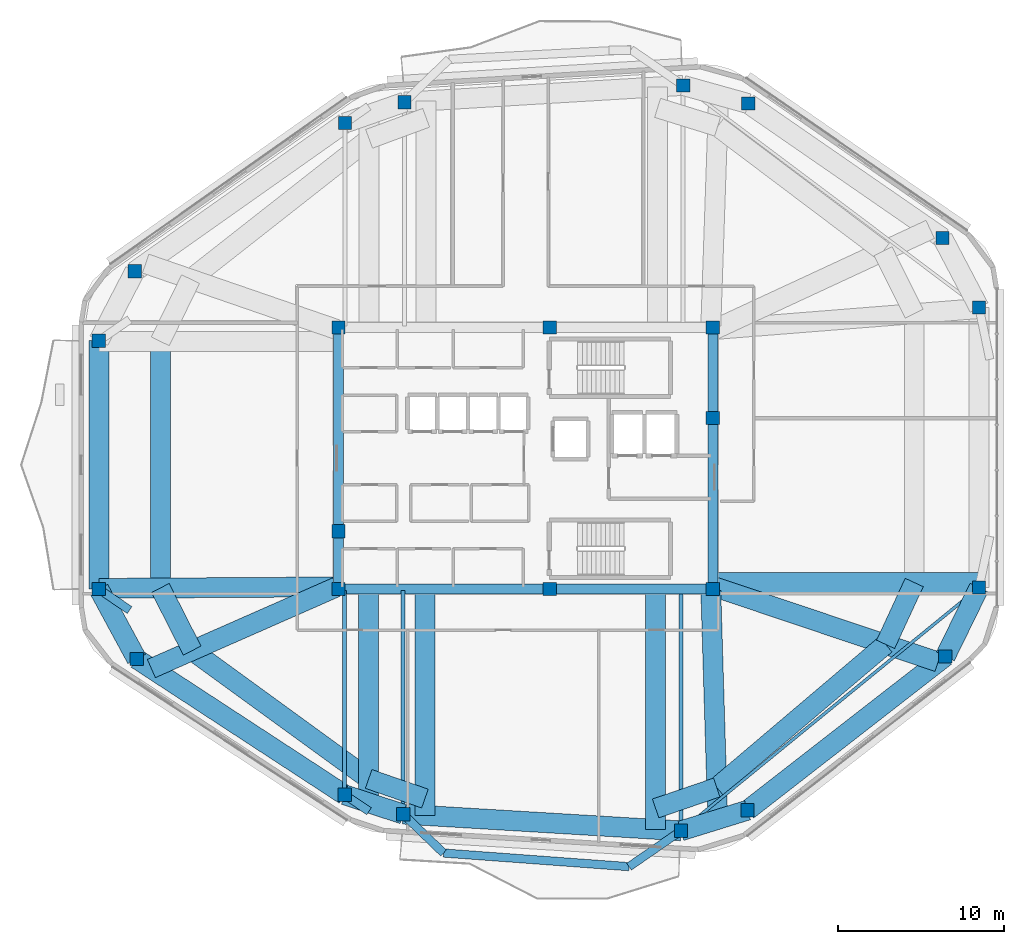
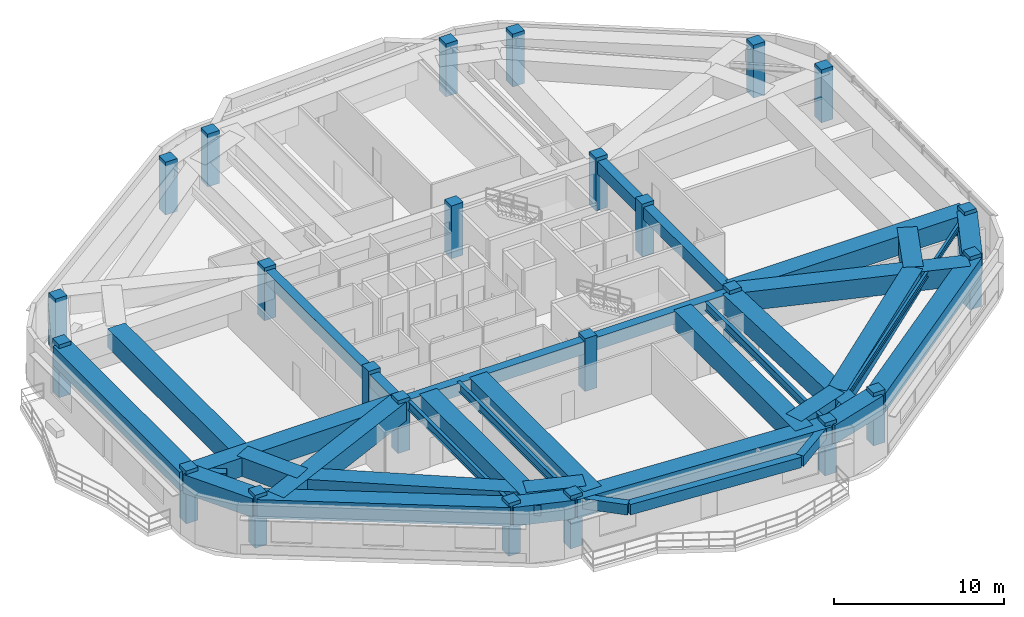
# One storey, part 1 of 15: 38 beams, 24 columns.
"""IFC4 building model written with IfcOpenShell, lengths in metres."""

from ifc_helpers import new_model, si_unit, direction, frame, origin, origin_2d, place, context, subcontext, project, spatial, rectangle, i_section, extrude, material, material_profile, profile_set, type_object, element, save


model = new_model("IFC4")

# Units and contexts
model_context = context("Model", 3, precision=1e-05, world=origin(), true_north=direction((0.0, 1.0)))
body_context = subcontext(model_context, "Body", "Model", "MODEL_VIEW")
ifc_project = project(units=[si_unit("LENGTHUNIT", "METRE"), si_unit("AREAUNIT", "SQUARE_METRE"), si_unit("VOLUMEUNIT", "CUBIC_METRE"), si_unit("PLANEANGLEUNIT", "RADIAN"), si_unit("MASSUNIT", "GRAM", prefix="KILO")], contexts=[model_context])

# Site, building, storey
site_placement = place(None, origin())
site = spatial("IfcSite", under=ifc_project, at=site_placement, CompositionType="ELEMENT")
building_placement = place(site_placement, origin())
building = spatial("IfcBuilding", under=site, at=building_placement, Name="Zulverin Broadcast Headquarters", CompositionType="ELEMENT")
storey_placement = place(building_placement, frame((0.0, 0.0, 270.60009765625)))
storey = spatial("IfcBuildingStorey", under=building, at=storey_placement, Name="L69", CompositionType="ELEMENT", Elevation=270.60009765625)

# Columns
ifc_material_1 = material(Name="Concrete C50/60", Category="concrete")
ifc_material_profile_1 = material_profile(ifc_material_1, rectangle(XDim=0.800048828125, YDim=0.800048828125, at=origin_2d()), Name="Concrete C50/60", Category="concrete")
ifc_profile_set_1 = profile_set([ifc_material_profile_1], Name="Concrete C50/60")
column_type_1 = type_object("IfcColumnType", Name="COL-RC-800", PredefinedType="COLUMN", material=ifc_profile_set_1)
for number, where, z_axis, x_axis, name in (
    (1, (29.6220703125, 3.763671875, 0.0), (0.0, 0.0, 1.0), (1.0, 0.0, 0.0), "L69 Perimeter Column T01"),
    (2, (46.3515625, 2.759521484375, 0.0), (0.0, 0.0, 1.0), (1.0, 0.0, 0.0), "L69 Perimeter Column T02"),
    (3, (50.361083984375, 4.001708984375, 0.0), (0.0, 0.0, 1.0), (1.0, 0.0, 0.0), "L69 Perimeter Column T03"),
    (4, (62.272216796875, 13.262451171875, 0.0), (0.0, 0.0, 1.0), (1.0, 0.0, 0.0), "L69 Perimeter Column T04"),
    (5, (64.300048828125, 17.40771484375, 0.0), (0.0, 0.0, 1.0), (1.0, 0.0, 0.0), "L69 Perimeter Column T05"),
    (6, (64.300048828125, 34.275634765625, 0.0), (0.0, 0.0, 1.0), (1.0, 0.0, 0.0), "L69 Perimeter Column T06"),
    (7, (62.102783203125, 38.465087890625, 0.0), (0.0, 0.0, 1.0), (1.0, 0.0, 0.0), "L69 Perimeter Column T07"),
    (8, (50.39794921875, 46.554443359375, 0.0), (0.0, 0.0, 1.0), (1.0, 0.0, 0.0), "L69 Perimeter Column T08"),
    (9, (46.4814453125, 47.6484375, 0.0), (0.0, 0.0, 1.0), (1.0, 0.0, 0.0), "L69 Perimeter Column T09"),
    (10, (29.70068359375, 46.64111328125, 0.0), (0.0, 0.0, 1.0), (1.0, 0.0, 0.0), "L69 Perimeter Column T10"),
    (11, (26.11474609375, 45.383544921875, 0.0), (0.0, 0.0, 1.0), (1.0, 0.0, 0.0), "L69 Perimeter Column T11"),
    (12, (13.46728515625, 36.457763671875, 0.0), (0.0, 0.0, 1.0), (1.0, 0.0, 0.0), "L69 Perimeter Column T12"),
    (13, (11.300048828125, 32.275390625, 0.0), (0.0, 0.0, 1.0), (1.0, 0.0, 0.0), "L69 Perimeter Column T13"),
    (14, (11.300048828125, 17.318603515625, 0.0), (0.0, 0.0, 1.0), (1.0, 0.0, 0.0), "L69 Perimeter Column T14"),
    (15, (13.576416015625, 13.11181640625, 0.0), (0.0, 0.0, 1.0), (1.0, 0.0, 0.0), "L69 Perimeter Column T15"),
    (16, (26.098876953125, 4.9287109375, 0.0), (0.0, 0.0, 1.0), (1.0, 0.0, 0.0), "L69 Perimeter Column T16"),
):
    element("IfcColumn", number, at=place(storey_placement, frame(where, z_axis=z_axis, x_axis=x_axis)), inside=storey, type_object=column_type_1, Name=name, PredefinedType="COLUMN", context=body_context, shape_type="SweptSolid", body=[
        extrude(rectangle(XDim=0.800048828125, YDim=0.800048828125, at=origin_2d()), origin(), (0.0, 0.0, 1.0), 3.7998046875),
    ])
ifc_material_profile_2 = material_profile(ifc_material_1, rectangle(XDim=0.800048828125, YDim=0.800048828125, at=origin_2d()), Name="Concrete C50/60", Category="concrete")
ifc_profile_set_2 = profile_set([ifc_material_profile_2], Name="Concrete C50/60")
column_type_2 = type_object("IfcColumnType", Name="PIL-RC-800", PredefinedType="PILASTER", material=ifc_profile_set_2)
for number, where, z_axis, x_axis, name in (
    (17, (25.72509765625, 17.324951171875, 0.0), (0.0, 0.0, 1.0), (1.0, 0.0, 0.0), "L69 Core Pilaster K01"),
    (18, (38.449951171875, 17.324951171875, 0.0), (0.0, 0.0, 1.0), (1.0, 0.0, 0.0), "L69 Core Pilaster K02"),
    (19, (48.27490234375, 17.324951171875, 0.0), (0.0, 0.0, 1.0), (1.0, 0.0, 0.0), "L69 Core Pilaster K03"),
    (20, (48.27490234375, 27.6201171875, 0.0), (0.0, 0.0, 1.0), (1.0, 0.0, 0.0), "L69 Core Pilaster K04"),
    (21, (48.27490234375, 33.074951171875, 0.0), (0.0, 0.0, 1.0), (1.0, 0.0, 0.0), "L69 Core Pilaster K05"),
    (22, (38.449951171875, 33.074951171875, 0.0), (0.0, 0.0, 1.0), (1.0, 0.0, 0.0), "L69 Core Pilaster K06"),
    (23, (25.72509765625, 33.074951171875, 0.0), (0.0, 0.0, 1.0), (1.0, 0.0, 0.0), "L69 Core Pilaster K07"),
    (24, (25.72509765625, 20.800048828125, 0.0), (0.0, 0.0, 1.0), (1.0, 0.0, 0.0), "L69 Core Pilaster K08"),
):
    element("IfcColumn", number, at=place(storey_placement, frame(where, z_axis=z_axis, x_axis=x_axis)), inside=storey, type_object=column_type_2, Name=name, PredefinedType="PILASTER", context=body_context, shape_type="SweptSolid", body=[
        extrude(rectangle(XDim=0.800048828125, YDim=0.800048828125, at=origin_2d()), origin(), (0.0, 0.0, 1.0), 3.7998046875),
    ])

# Beams
ifc_material_2 = material(Name="Concrete C60/75", Category="concrete")
ifc_material_profile_3 = material_profile(ifc_material_2, rectangle(XDim=0.60009765625, YDim=0.89990234375, at=origin_2d()), Name="Concrete C60/75", Category="concrete")
ifc_profile_set_3 = profile_set([ifc_material_profile_3], Name="Concrete C60/75")
beam_type_1 = type_object("IfcBeamType", Name="BM-CB-600x900", PredefinedType="LINTEL", material=ifc_profile_set_3)
beam_1_placement = place(storey_placement, frame((25.72509765625, 17.324951171875, 3.08984375), z_axis=(1.0, 0.0, 0.0), x_axis=(0.0, 1.0, 0.0)))
element("IfcBeam", 25, at=beam_1_placement, inside=storey, type_object=beam_type_1, Name="L69 Core Coupling Girder K01-K02", PredefinedType="LINTEL", context=body_context, shape_type="SweptSolid", body=[
    extrude(rectangle(XDim=0.60009765625, YDim=0.89990234375, at=origin_2d()), origin(), (0.0, 0.0, 1.0), 12.724853515625),
])
beam_2_placement = place(storey_placement, frame((38.449951171875, 17.324951171875, 3.08984375), z_axis=(1.0, 0.0, 0.0), x_axis=(0.0, 1.0, 0.0)))
element("IfcBeam", 26, at=beam_2_placement, inside=storey, type_object=beam_type_1, Name="L69 Core Coupling Girder K02-K03", PredefinedType="LINTEL", context=body_context, shape_type="SweptSolid", body=[
    extrude(rectangle(XDim=0.60009765625, YDim=0.89990234375, at=origin_2d()), origin(), (0.0, 0.0, 1.0), 9.824951171875),
])
beam_3_placement = place(storey_placement, frame((48.27490234375, 17.324951171875, 3.08984375), z_axis=(0.0, 1.0, 0.0), x_axis=(-1.0, 0.0, 0.0)))
element("IfcBeam", 27, at=beam_3_placement, inside=storey, type_object=beam_type_1, Name="L69 Core Coupling Girder K03-K04", PredefinedType="LINTEL", context=body_context, shape_type="SweptSolid", body=[
    extrude(rectangle(XDim=0.60009765625, YDim=0.89990234375, at=origin_2d()), origin(), (0.0, 0.0, 1.0), 10.295166015625),
])
beam_4_placement = place(storey_placement, frame((48.27490234375, 27.6201171875, 3.08984375), z_axis=(0.0, 1.0, 0.0), x_axis=(-1.0, 0.0, 0.0)))
element("IfcBeam", 28, at=beam_4_placement, inside=storey, type_object=beam_type_1, Name="L69 Core Coupling Girder K04-K05", PredefinedType="LINTEL", context=body_context, shape_type="SweptSolid", body=[
    extrude(rectangle(XDim=0.60009765625, YDim=0.89990234375, at=origin_2d()), origin(), (0.0, 0.0, 1.0), 5.454833984375),
])
beam_5_placement = place(storey_placement, frame((25.72509765625, 33.074951171875, 3.08984375), z_axis=(0.0, -1.0, 0.0), x_axis=(1.0, 0.0, 0.0)))
element("IfcBeam", 29, at=beam_5_placement, inside=storey, type_object=beam_type_1, Name="L69 Core Coupling Girder K07-K08", PredefinedType="LINTEL", context=body_context, shape_type="SweptSolid", body=[
    extrude(rectangle(XDim=0.60009765625, YDim=0.89990234375, at=origin_2d()), origin(), (0.0, 0.0, 1.0), 12.27490234375),
])
beam_6_placement = place(storey_placement, frame((25.72509765625, 20.800048828125, 3.08984375), z_axis=(0.0, -1.0, 0.0), x_axis=(1.0, 0.0, 0.0)))
element("IfcBeam", 30, at=beam_6_placement, inside=storey, type_object=beam_type_1, Name="L69 Core Coupling Girder K08-K01", PredefinedType="LINTEL", context=body_context, shape_type="SweptSolid", body=[
    extrude(rectangle(XDim=0.60009765625, YDim=0.89990234375, at=origin_2d()), origin(), (0.0, 0.0, 1.0), 3.47509765625),
])
ifc_material_3 = material(Name="Concrete C40/50", Category="concrete")
ifc_material_profile_4 = material_profile(ifc_material_3, rectangle(XDim=0.5, YDim=0.75, at=origin_2d()), Name="Concrete C40/50", Category="concrete")
ifc_profile_set_4 = profile_set([ifc_material_profile_4], Name="Concrete C40/50")
beam_type_2 = type_object("IfcBeamType", Name="BM-RC-500x750", PredefinedType="BEAM", material=ifc_profile_set_4)
beam_7_placement = place(storey_placement, frame((11.300048828125, 17.318603515625, 3.164794921875), z_axis=(0.82506680454, -0.565035191865, 0.0), x_axis=(0.565035191865, 0.82506680454, 0.0)))
element("IfcBeam", 31, at=beam_7_placement, inside=storey, type_object=beam_type_2, Name="L70 Plate Overhang Back-Spanned Beam OVR-14", PredefinedType="BEAM", context=body_context, shape_type="SweptSolid", body=[
    extrude(rectangle(XDim=0.5, YDim=0.75, at=origin_2d()), origin(), (0.0, 0.0, 1.0), 2.241943359375),
])
beam_8_placement = place(storey_placement, frame((26.098876953125, 4.9287109375, 3.164794921875), z_axis=(0.831348634571, -0.555751246329, 0.0), x_axis=(0.555751246329, 0.831348634571, 0.0)))
element("IfcBeam", 32, at=beam_8_placement, inside=storey, type_object=beam_type_2, Name="L70 Plate Overhang Back-Spanned Beam OVR-16", PredefinedType="BEAM", context=body_context, shape_type="SweptSolid", body=[
    extrude(rectangle(XDim=0.5, YDim=0.75, at=origin_2d()), origin(), (0.0, 0.0, 1.0), 1.76806640625),
])
beam_9_placement = place(storey_placement, frame((29.6220703125, 3.763671875, 3.164794921875), z_axis=(0.720648140201, -0.693300986603, 0.0), x_axis=(0.693300986603, 0.720648140201, 0.0)))
element("IfcBeam", 33, at=beam_9_placement, inside=storey, type_object=beam_type_2, Name="L70 Balcony Column-Framed Cantilever BAL_S-1", PredefinedType="BEAM", context=body_context, shape_type="SweptSolid", body=[
    extrude(rectangle(XDim=0.5, YDim=0.75, at=origin_2d()), origin(), (0.0, 0.0, 1.0), 3.37451171875),
])
beam_10_placement = place(storey_placement, frame((46.3515625, 2.759521484375, 3.164794921875), z_axis=(-0.822966273593, -0.568090232735, 0.0), x_axis=(0.568090232735, -0.822966273593, 0.0)))
element("IfcBeam", 34, at=beam_10_placement, inside=storey, type_object=beam_type_2, Name="L70 Balcony Column-Framed Cantilever BAL_S-2", PredefinedType="BEAM", context=body_context, shape_type="SweptSolid", body=[
    extrude(rectangle(XDim=0.5, YDim=0.75, at=origin_2d()), origin(), (0.0, 0.0, 1.0), 3.7998046875),
])
beam_11_placement = place(storey_placement, frame((32.053955078125, 1.424072265625, 3.164794921875), z_axis=(0.997295280401, -0.073499140742, 0.0), x_axis=(0.073499140742, 0.997295280401, 0.0)))
element("IfcBeam", 35, at=beam_11_placement, inside=storey, type_object=beam_type_2, Name="L70 Balcony Outer Edge Trimmer Beam BAL_S", PredefinedType="BEAM", context=body_context, shape_type="SweptSolid", body=[
    extrude(rectangle(XDim=0.5, YDim=0.75, at=origin_2d()), origin(), (0.0, 0.0, 1.0), 11.20068359375),
])
ifc_material_profile_5 = material_profile(ifc_material_1, rectangle(XDim=1.199951171875, YDim=1.35009765625, at=origin_2d()), Name="Concrete C50/60", Category="concrete")
ifc_profile_set_5 = profile_set([ifc_material_profile_5], Name="Concrete C50/60")
beam_type_3 = type_object("IfcBeamType", Name="BM-TG-CRN-1350", PredefinedType="USERDEFINED", material=ifc_profile_set_5)
beam_12_placement = place(storey_placement, frame((29.6220703125, 3.763671875, 2.864990234375), z_axis=(0.998203486609, -0.059914934044, 0.0), x_axis=(0.059914934044, 0.998203486609, 0.0)))
element("IfcBeam", 36, at=beam_12_placement, inside=storey, type_object=beam_type_3, Name="L69 Perimeter Transfer Ring Girder SP-01", ObjectType="TRANSFER GIRDER", PredefinedType="USERDEFINED", context=body_context, shape_type="SweptSolid", body=[
    extrude(rectangle(XDim=1.199951171875, YDim=1.35009765625, at=origin_2d()), origin(), (0.0, 0.0, 1.0), 16.759521484375),
])
beam_13_placement = place(storey_placement, frame((46.3515625, 2.759521484375, 2.864990234375), z_axis=(0.955208799219, 0.295932677978, 0.0), x_axis=(-0.295932677978, 0.955208799219, 0.0)))
element("IfcBeam", 37, at=beam_13_placement, inside=storey, type_object=beam_type_3, Name="L69 Perimeter Transfer Ring Girder SP-02", ObjectType="TRANSFER GIRDER", PredefinedType="USERDEFINED", context=body_context, shape_type="SweptSolid", body=[
    extrude(rectangle(XDim=1.199951171875, YDim=1.35009765625, at=origin_2d()), origin(), (0.0, 0.0, 1.0), 4.197509765625),
])
beam_14_placement = place(storey_placement, frame((50.361083984375, 4.001708984375, 2.864990234375), z_axis=(0.789463732329, 0.613797210271, 0.0), x_axis=(-0.613797210271, 0.789463732329, 0.0)))
element("IfcBeam", 38, at=beam_14_placement, inside=storey, type_object=beam_type_3, Name="L69 Perimeter Transfer Ring Girder SP-03", ObjectType="TRANSFER GIRDER", PredefinedType="USERDEFINED", context=body_context, shape_type="SweptSolid", body=[
    extrude(rectangle(XDim=1.199951171875, YDim=1.35009765625, at=origin_2d()), origin(), (0.0, 0.0, 1.0), 15.087646484375),
])
beam_15_placement = place(storey_placement, frame((62.272216796875, 13.262451171875, 2.864990234375), z_axis=(0.439430258265, 0.898276710219, 0.0), x_axis=(-0.898276710219, 0.439430258265, 0.0)))
element("IfcBeam", 39, at=beam_15_placement, inside=storey, type_object=beam_type_3, Name="L69 Perimeter Transfer Ring Girder SP-04", ObjectType="TRANSFER GIRDER", PredefinedType="USERDEFINED", context=body_context, shape_type="SweptSolid", body=[
    extrude(rectangle(XDim=1.199951171875, YDim=1.35009765625, at=origin_2d()), origin(), (0.0, 0.0, 1.0), 4.61474609375),
])
beam_16_placement = place(storey_placement, frame((11.300048828125, 32.275390625, 2.864990234375), z_axis=(0.0, -1.0, 0.0), x_axis=(1.0, 0.0, 0.0)))
element("IfcBeam", 40, at=beam_16_placement, inside=storey, type_object=beam_type_3, Name="L69 Perimeter Transfer Ring Girder SP-13", ObjectType="TRANSFER GIRDER", PredefinedType="USERDEFINED", context=body_context, shape_type="SweptSolid", body=[
    extrude(rectangle(XDim=1.199951171875, YDim=1.35009765625, at=origin_2d()), origin(), (0.0, 0.0, 1.0), 14.956787109375),
])
beam_17_placement = place(storey_placement, frame((11.300048828125, 17.318603515625, 2.864990234375), z_axis=(0.475909852672, -0.879494066, 0.0), x_axis=(0.879494066, 0.475909852672, 0.0)))
element("IfcBeam", 41, at=beam_17_placement, inside=storey, type_object=beam_type_3, Name="L69 Perimeter Transfer Ring Girder SP-14", ObjectType="TRANSFER GIRDER", PredefinedType="USERDEFINED", context=body_context, shape_type="SweptSolid", body=[
    extrude(rectangle(XDim=1.199951171875, YDim=1.35009765625, at=origin_2d()), origin(), (0.0, 0.0, 1.0), 4.783203125),
])
beam_18_placement = place(storey_placement, frame((13.576416015625, 13.11181640625, 2.864990234375), z_axis=(0.837112191398, -0.547031241349, 0.0), x_axis=(0.547031241349, 0.837112191398, 0.0)))
element("IfcBeam", 42, at=beam_18_placement, inside=storey, type_object=beam_type_3, Name="L69 Perimeter Transfer Ring Girder SP-15", ObjectType="TRANSFER GIRDER", PredefinedType="USERDEFINED", context=body_context, shape_type="SweptSolid", body=[
    extrude(rectangle(XDim=1.199951171875, YDim=1.35009765625, at=origin_2d()), origin(), (0.0, 0.0, 1.0), 14.959228515625),
])
beam_19_placement = place(storey_placement, frame((26.098876953125, 4.9287109375, 2.864990234375), z_axis=(0.949437184981, -0.313957054031, 0.0), x_axis=(0.313957054031, 0.949437184981, 0.0)))
element("IfcBeam", 43, at=beam_19_placement, inside=storey, type_object=beam_type_3, Name="L69 Perimeter Transfer Ring Girder SP-16", ObjectType="TRANSFER GIRDER", PredefinedType="USERDEFINED", context=body_context, shape_type="SweptSolid", body=[
    extrude(rectangle(XDim=1.199951171875, YDim=1.35009765625, at=origin_2d()), origin(), (0.0, 0.0, 1.0), 3.7109375),
])
beam_20_placement = place(storey_placement, frame((30.93359375, 17.22509765625, 2.864990234375), z_axis=(0.0, -1.0, 0.0), x_axis=(1.0, 0.0, 0.0)))
element("IfcBeam", 44, at=beam_20_placement, inside=storey, type_object=beam_type_3, Name="L70 Step Transfer Girder TG-01", ObjectType="TRANSFER GIRDER", PredefinedType="USERDEFINED", context=body_context, shape_type="SweptSolid", body=[
    extrude(rectangle(XDim=1.199951171875, YDim=1.35009765625, at=origin_2d()), origin(), (0.0, 0.0, 1.0), 13.5400390625),
])
beam_21_placement = place(storey_placement, frame((44.826904296875, 17.22509765625, 2.864990234375), z_axis=(0.0, -1.0, 0.0), x_axis=(1.0, 0.0, 0.0)))
element("IfcBeam", 45, at=beam_21_placement, inside=storey, type_object=beam_type_3, Name="L70 Step Transfer Girder TG-02", ObjectType="TRANSFER GIRDER", PredefinedType="USERDEFINED", context=body_context, shape_type="SweptSolid", body=[
    extrude(rectangle(XDim=1.199951171875, YDim=1.35009765625, at=origin_2d()), origin(), (0.0, 0.0, 1.0), 14.374267578125),
])
beam_22_placement = place(storey_placement, frame((44.826904296875, 4.1083984375, 2.864990234375), z_axis=(0.945970142065, 0.324253743728, 0.0), x_axis=(-0.324253743728, 0.945970142065, 0.0)))
element("IfcBeam", 46, at=beam_22_placement, inside=storey, type_object=beam_type_3, Name="L70 Step Transfer Ring Girder TGR-02", ObjectType="TRANSFER GIRDER", PredefinedType="USERDEFINED", context=body_context, shape_type="SweptSolid", body=[
    extrude(rectangle(XDim=1.199951171875, YDim=1.35009765625, at=origin_2d()), origin(), (0.0, 0.0, 1.0), 3.89111328125),
])
beam_23_placement = place(storey_placement, frame((48.14990234375, 17.22509765625, 2.864990234375), z_axis=(0.030176534713, -0.999544584675, 0.0), x_axis=(0.999544584675, 0.030176534713, 0.0)))
element("IfcBeam", 47, at=beam_23_placement, inside=storey, type_object=beam_type_3, Name="L70 Step Transfer Girder TG-03", ObjectType="TRANSFER GIRDER", PredefinedType="USERDEFINED", context=body_context, shape_type="SweptSolid", body=[
    extrude(rectangle(XDim=1.199951171875, YDim=1.35009765625, at=origin_2d()), origin(), (0.0, 0.0, 1.0), 13.7861328125),
])
beam_24_placement = place(storey_placement, frame((48.5078125, 5.3701171875, 2.864990234375), z_axis=(0.762782889345, 0.646654671152, 0.0), x_axis=(-0.646654671152, 0.762782889345, 0.0)))
element("IfcBeam", 48, at=beam_24_placement, inside=storey, type_object=beam_type_3, Name="L70 Step Transfer Ring Girder TGR-03", ObjectType="TRANSFER GIRDER", PredefinedType="USERDEFINED", context=body_context, shape_type="SweptSolid", body=[
    extrude(rectangle(XDim=1.199951171875, YDim=1.35009765625, at=origin_2d()), origin(), (0.0, 0.0, 1.0), 13.328857421875),
])
beam_25_placement = place(storey_placement, frame((48.375, 17.449951171875, 2.864990234375), z_axis=(0.947926051665, -0.318490503116, 0.0), x_axis=(0.318490503116, 0.947926051665, 0.0)))
element("IfcBeam", 49, at=beam_25_placement, inside=storey, type_object=beam_type_3, Name="L70 Step Transfer Girder TG-04", ObjectType="TRANSFER GIRDER", PredefinedType="USERDEFINED", context=body_context, shape_type="SweptSolid", body=[
    extrude(rectangle(XDim=1.199951171875, YDim=1.35009765625, at=origin_2d()), origin(), (0.0, 0.0, 1.0), 14.204345703125),
])
beam_26_placement = place(storey_placement, frame((58.6748046875, 13.9892578125, 2.864990234375), z_axis=(0.420294999852, 0.907387520908, 0.0), x_axis=(-0.907387520908, 0.420294999852, 0.0)))
element("IfcBeam", 50, at=beam_26_placement, inside=storey, type_object=beam_type_3, Name="L70 Step Transfer Ring Girder TGR-04", ObjectType="TRANSFER GIRDER", PredefinedType="USERDEFINED", context=body_context, shape_type="SweptSolid", body=[
    extrude(rectangle(XDim=1.199951171875, YDim=1.35009765625, at=origin_2d()), origin(), (0.0, 0.0, 1.0), 4.1044921875),
])
beam_27_placement = place(storey_placement, frame((48.375, 17.713623046875, 2.864990234375), z_axis=(1.0, 0.0, 0.0), x_axis=(0.0, 1.0, 0.0)))
element("IfcBeam", 51, at=beam_27_placement, inside=storey, type_object=beam_type_3, Name="L70 Step Transfer Girder TG-05", ObjectType="TRANSFER GIRDER", PredefinedType="USERDEFINED", context=body_context, shape_type="SweptSolid", body=[
    extrude(rectangle(XDim=1.199951171875, YDim=1.35009765625, at=origin_2d()), origin(), (0.0, 0.0, 1.0), 15.925048828125),
])
beam_28_placement = place(storey_placement, frame((15.0, 32.236083984375, 2.864990234375), z_axis=(0.0, -1.0, 0.0), x_axis=(1.0, 0.0, 0.0)))
element("IfcBeam", 52, at=beam_28_placement, inside=storey, type_object=beam_type_3, Name="L70 Step Transfer Ring Girder TGR-13", ObjectType="TRANSFER GIRDER", PredefinedType="USERDEFINED", context=body_context, shape_type="SweptSolid", body=[
    extrude(rectangle(XDim=1.199951171875, YDim=1.35009765625, at=origin_2d()), origin(), (0.0, 0.0, 1.0), 14.85302734375),
])
beam_29_placement = place(storey_placement, frame((25.625, 17.449951171875, 2.864990234375), z_axis=(-0.999980225584, -0.006288755062, 0.0), x_axis=(0.006288755062, -0.999980225584, 0.0)))
element("IfcBeam", 53, at=beam_29_placement, inside=storey, type_object=beam_type_3, Name="L70 Step Transfer Girder TG-14", ObjectType="TRANSFER GIRDER", PredefinedType="USERDEFINED", context=body_context, shape_type="SweptSolid", body=[
    extrude(rectangle(XDim=1.199951171875, YDim=1.35009765625, at=origin_2d()), origin(), (0.0, 0.0, 1.0), 14.3251953125),
])
beam_30_placement = place(storey_placement, frame((15.0, 17.383056640625, 2.864990234375), z_axis=(0.453738909408, -0.89113467113, 0.0), x_axis=(0.89113467113, 0.453738909408, 0.0)))
element("IfcBeam", 54, at=beam_30_placement, inside=storey, type_object=beam_type_3, Name="L70 Step Transfer Ring Girder TGR-14", ObjectType="TRANSFER GIRDER", PredefinedType="USERDEFINED", context=body_context, shape_type="SweptSolid", body=[
    extrude(rectangle(XDim=1.199951171875, YDim=1.35009765625, at=origin_2d()), origin(), (0.0, 0.0, 1.0), 4.2275390625),
])
beam_31_placement = place(storey_placement, frame((25.625, 17.449951171875, 2.864990234375), z_axis=(-0.915188678041, -0.4030256612, 0.0), x_axis=(0.4030256612, -0.915188678041, 0.0)))
element("IfcBeam", 55, at=beam_31_placement, inside=storey, type_object=beam_type_3, Name="L70 Step Transfer Girder TG-15", ObjectType="TRANSFER GIRDER", PredefinedType="USERDEFINED", context=body_context, shape_type="SweptSolid", body=[
    extrude(rectangle(XDim=1.199951171875, YDim=1.35009765625, at=origin_2d()), origin(), (0.0, 0.0, 1.0), 12.198486328125),
])
beam_32_placement = place(storey_placement, frame((16.918212890625, 13.61572265625, 2.864990234375), z_axis=(0.808695913066, -0.588226929162, 0.0), x_axis=(0.588226929162, 0.808695913066, 0.0)))
element("IfcBeam", 56, at=beam_32_placement, inside=storey, type_object=beam_type_3, Name="L70 Step Transfer Ring Girder TGR-15", ObjectType="TRANSFER GIRDER", PredefinedType="USERDEFINED", context=body_context, shape_type="SweptSolid", body=[
    extrude(rectangle(XDim=1.199951171875, YDim=1.35009765625, at=origin_2d()), origin(), (0.0, 0.0, 1.0), 13.14111328125),
])
beam_33_placement = place(storey_placement, frame((27.54541015625, 17.22509765625, 2.864990234375), z_axis=(0.0, -1.0, 0.0), x_axis=(1.0, 0.0, 0.0)))
element("IfcBeam", 57, at=beam_33_placement, inside=storey, type_object=beam_type_3, Name="L70 Step Transfer Girder TG-16", ObjectType="TRANSFER GIRDER", PredefinedType="USERDEFINED", context=body_context, shape_type="SweptSolid", body=[
    extrude(rectangle(XDim=1.199951171875, YDim=1.35009765625, at=origin_2d()), origin(), (0.0, 0.0, 1.0), 12.774658203125),
])
beam_34_placement = place(storey_placement, frame((27.54541015625, 5.8857421875, 2.864990234375), z_axis=(0.944140138036, -0.329544230339, 0.0), x_axis=(0.329544230339, 0.944140138036, 0.0)))
element("IfcBeam", 58, at=beam_34_placement, inside=storey, type_object=beam_type_3, Name="L70 Step Transfer Ring Girder TGR-16", ObjectType="TRANSFER GIRDER", PredefinedType="USERDEFINED", context=body_context, shape_type="SweptSolid", body=[
    extrude(rectangle(XDim=1.199951171875, YDim=1.35009765625, at=origin_2d()), origin(), (0.0, 0.0, 1.0), 3.588623046875),
])
ifc_material_4 = material(Name="Structural steel S355JR", Category="steel")
ifc_material_profile_6 = material_profile(ifc_material_4, i_section(OverallWidth=0.179443359375, OverallDepth=0.412841796875, WebThickness=0.009521484375, FlangeThickness=0.01611328125, at=origin_2d()), Name="Structural steel S355JR", Category="steel")
ifc_profile_set_6 = profile_set([ifc_material_profile_6], Name="Structural steel S355JR")
beam_type_4 = type_object("IfcBeamType", Name="BM-UB-406", PredefinedType="JOIST", material=ifc_profile_set_6)
beam_35_placement = place(storey_placement, frame((46.3515625, 2.759521484375, 3.33349609375), z_axis=(0.77473799882, 0.632282399869, 0.0), x_axis=(-0.632282399869, 0.77473799882, 0.0)))
element("IfcBeam", 59, at=beam_35_placement, inside=storey, type_object=beam_type_4, Name="L69 Chordal Floor Joist J-01", PredefinedType="JOIST", context=body_context, shape_type="SweptSolid", body=[
    extrude(i_section(OverallWidth=0.179443359375, OverallDepth=0.412841796875, WebThickness=0.009521484375, FlangeThickness=0.01611328125, at=origin_2d()), origin(), (0.0, 0.0, 1.0), 23.167236328125),
])
ifc_material_profile_7 = material_profile(ifc_material_4, i_section(OverallWidth=0.230224609375, OverallDepth=0.6171875, WebThickness=0.01318359375, FlangeThickness=0.022216796875, at=origin_2d()), Name="Structural steel S355JR", Category="steel")
ifc_profile_set_7 = profile_set([ifc_material_profile_7], Name="Structural steel S355JR")
beam_type_5 = type_object("IfcBeamType", Name="BM-UB-610", PredefinedType="BEAM", material=ifc_profile_set_7)
beam_36_placement = place(storey_placement, frame((29.6220703125, 17.22509765625, 3.231201171875), z_axis=(0.0, -1.0, 0.0), x_axis=(1.0, 0.0, 0.0)))
element("IfcBeam", 60, at=beam_36_placement, inside=storey, type_object=beam_type_5, Name="L69 Radial Primary Floor Beam RB-01", PredefinedType="BEAM", context=body_context, shape_type="SweptSolid", body=[
    extrude(i_section(OverallWidth=0.230224609375, OverallDepth=0.6171875, WebThickness=0.01318359375, FlangeThickness=0.022216796875, at=origin_2d()), origin(), (0.0, 0.0, 1.0), 13.46142578125),
])
beam_37_placement = place(storey_placement, frame((46.3515625, 17.22509765625, 3.231201171875), z_axis=(0.0, -1.0, 0.0), x_axis=(1.0, 0.0, 0.0)))
element("IfcBeam", 61, at=beam_37_placement, inside=storey, type_object=beam_type_5, Name="L69 Radial Primary Floor Beam RB-02", PredefinedType="BEAM", context=body_context, shape_type="SweptSolid", body=[
    extrude(i_section(OverallWidth=0.230224609375, OverallDepth=0.6171875, WebThickness=0.01318359375, FlangeThickness=0.022216796875, at=origin_2d()), origin(), (0.0, 0.0, 1.0), 14.465576171875),
])
beam_38_placement = place(storey_placement, frame((26.098876953125, 17.22509765625, 3.231201171875), z_axis=(0.0, -1.0, 0.0), x_axis=(1.0, 0.0, 0.0)))
element("IfcBeam", 62, at=beam_38_placement, inside=storey, type_object=beam_type_5, Name="L69 Radial Primary Floor Beam RB-16", PredefinedType="BEAM", context=body_context, shape_type="SweptSolid", body=[
    extrude(i_section(OverallWidth=0.230224609375, OverallDepth=0.6171875, WebThickness=0.01318359375, FlangeThickness=0.022216796875, at=origin_2d()), origin(), (0.0, 0.0, 1.0), 12.29638671875),
])

save(model, "model.ifc")
